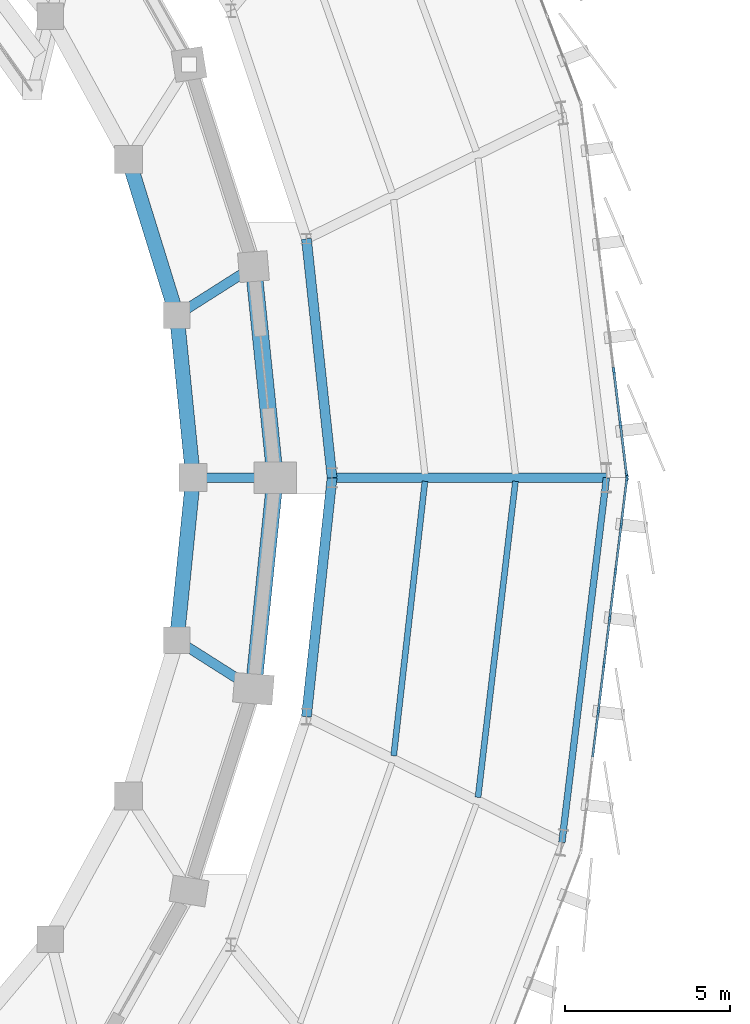
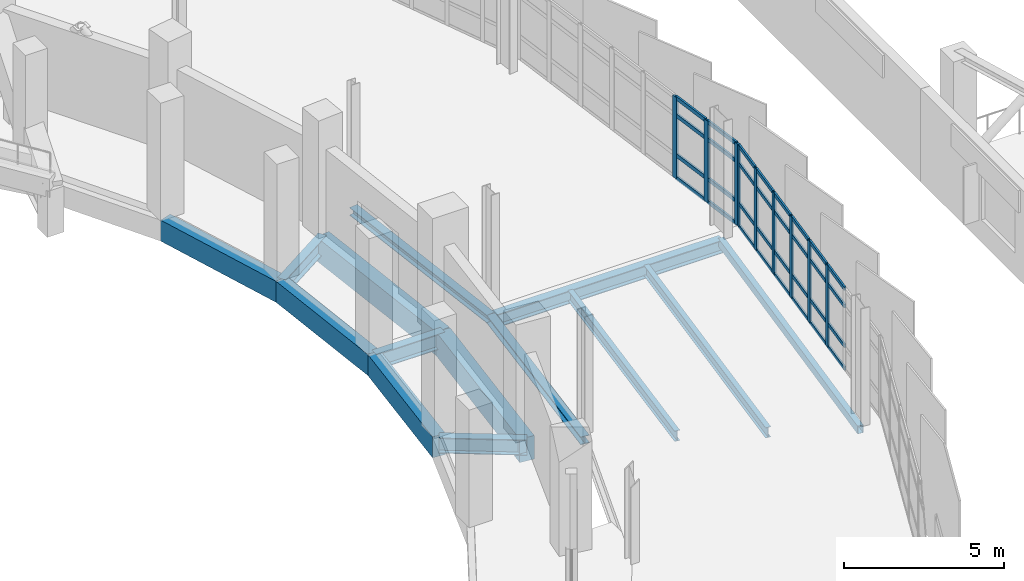
# One storey, part 66 of 120: 41 members, 14 beams, 2 elements without a shape of their own.
"""IFC4 building model written with IfcOpenShell, lengths in metres."""

from ifc_helpers import new_model, si_unit, direction, frame, origin, origin_2d, place, context, subcontext, project, spatial, rectangle, hollow_rectangle, i_section, extrude, material, layer, layer_set, material_profile, profile_set, type_object, element, aggregate, save


model = new_model("IFC4")

# Units and contexts
model_context = context("Model", 3, precision=1e-05, world=origin(), true_north=direction((0.0, 1.0)))
body_context = subcontext(model_context, "Body", "Model", "MODEL_VIEW")
ifc_project = project(units=[si_unit("LENGTHUNIT", "METRE"), si_unit("AREAUNIT", "SQUARE_METRE"), si_unit("VOLUMEUNIT", "CUBIC_METRE"), si_unit("PLANEANGLEUNIT", "RADIAN"), si_unit("MASSUNIT", "GRAM", prefix="KILO")], contexts=[model_context])

# Site, building, storey
site_placement = place(None, origin())
site = spatial("IfcSite", under=ifc_project, at=site_placement, CompositionType="ELEMENT")
building_placement = place(site_placement, origin())
building = spatial("IfcBuilding", under=site, at=building_placement, Name="Sohan Crest Arena", CompositionType="ELEMENT")
storey_placement = place(building_placement, frame((0.0, 0.0, 13.5)))
storey = spatial("IfcBuildingStorey", under=building, at=storey_placement, Name="L03", CompositionType="ELEMENT", Elevation=13.5)

# Curtain wall, members
ifc_material_1 = material(Name="Thermally broken anodised aluminium", Category="aluminium")
ifc_layer_1 = layer(ifc_material_1, 0.18994140625, Name="Thermally broken anodised aluminium")
ifc_layer_set_1 = layer_set([ifc_layer_1], Name="Thermally broken anodised aluminium")
curtain_wall_type_1 = type_object("IfcCurtainWallType", Name="ARC-CW05", PredefinedType="NOTDEFINED", material=ifc_layer_set_1)
curtain_wall_1_placement = place(storey_placement, origin())
curtain_wall_1 = element("IfcCurtainWall", 1, at=curtain_wall_1_placement, inside=storey, type_object=curtain_wall_type_1, Name="Unitised curtain wall CW-100", PredefinedType="NOTDEFINED")
ifc_material_profile_1 = material_profile(ifc_material_1, rectangle(XDim=0.070068359375, YDim=0.199951171875, at=origin_2d()), Name="ALU-MULL 70x200")
ifc_profile_set_1 = profile_set([ifc_material_profile_1], Name="Thermally broken anodised aluminium")
member_type_1 = type_object("IfcMemberType", Name="ARC-CW-ML03", PredefinedType="MULLION", material=ifc_profile_set_1)
member_1_placement = place(storey_placement, frame((187.8291015625, 70.90380859375, 0.0), z_axis=(0.0, 0.0, 1.0), x_axis=(-0.992536588605, 0.121947202838, 0.0)))
member_1 = element("IfcMember", 2, at=member_1_placement, type_object=member_type_1, Name="CW-100 mullion 4", PredefinedType="MULLION", context=body_context, shape_type="SweptSolid", body=[
    extrude(rectangle(XDim=0.070068359375, YDim=0.199951171875, at=origin_2d()), origin(), (0.0, 0.0, 1.0), 3.1201171875),
])
member_2_placement = place(storey_placement, frame((188.00341796875, 72.322998046875, 0.0), z_axis=(0.0, 0.0, 1.0), x_axis=(-0.992536588605, 0.121947202838, 0.0)))
member_2 = element("IfcMember", 3, at=member_2_placement, type_object=member_type_1, Name="CW-100 mullion 5", PredefinedType="MULLION", context=body_context, shape_type="SweptSolid", body=[
    extrude(rectangle(XDim=0.070068359375, YDim=0.199951171875, at=origin_2d()), origin(), (0.0, 0.0, 1.0), 3.1201171875),
])
member_3_placement = place(storey_placement, frame((188.177978515625, 73.7421875, 0.0), z_axis=(0.0, 0.0, 1.0), x_axis=(-0.992536588605, 0.121947202838, 0.0)))
member_3 = element("IfcMember", 4, at=member_3_placement, type_object=member_type_1, Name="CW-100 mullion 6", PredefinedType="MULLION", context=body_context, shape_type="SweptSolid", body=[
    extrude(rectangle(XDim=0.070068359375, YDim=0.199951171875, at=origin_2d()), origin(), (0.0, 0.0, 1.0), 3.1201171875),
])
member_4_placement = place(storey_placement, frame((188.352294921875, 75.16162109375, 0.0), z_axis=(0.0, 0.0, 1.0), x_axis=(-0.992536588605, 0.121947202838, 0.0)))
member_4 = element("IfcMember", 5, at=member_4_placement, type_object=member_type_1, Name="CW-100 mullion 7", PredefinedType="MULLION", context=body_context, shape_type="SweptSolid", body=[
    extrude(rectangle(XDim=0.070068359375, YDim=0.199951171875, at=origin_2d()), origin(), (0.0, 0.0, 1.0), 3.1201171875),
])
member_5_placement = place(storey_placement, frame((188.526611328125, 76.580810546875, 0.0), z_axis=(0.0, 0.0, 1.0), x_axis=(-0.992536588605, 0.121947202838, 0.0)))
member_5 = element("IfcMember", 6, at=member_5_placement, type_object=member_type_1, Name="CW-100 mullion 8", PredefinedType="MULLION", context=body_context, shape_type="SweptSolid", body=[
    extrude(rectangle(XDim=0.070068359375, YDim=0.199951171875, at=origin_2d()), origin(), (0.0, 0.0, 1.0), 3.1201171875),
])
member_6_placement = place(storey_placement, frame((188.69677734375, 77.96533203125, 0.0), z_axis=(0.0, 0.0, 1.0), x_axis=(-0.992536588605, 0.121947202838, 0.0)))
member_6 = element("IfcMember", 7, at=member_6_placement, type_object=member_type_1, Name="CW-100 mullion 9", PredefinedType="MULLION", context=body_context, shape_type="SweptSolid", body=[
    extrude(rectangle(XDim=0.070068359375, YDim=0.199951171875, at=origin_2d()), origin(), (0.0, 0.0, 1.0), 3.1201171875),
])

ifc_layer_2 = layer(ifc_material_1, 0.2099609375, Name="Thermally broken anodised aluminium")
ifc_layer_set_2 = layer_set([ifc_layer_2], Name="Thermally broken anodised aluminium")
curtain_wall_type_2 = type_object("IfcCurtainWallType", Name="ARC-CW06", PredefinedType="NOTDEFINED", material=ifc_layer_set_2)
curtain_wall_2_placement = place(storey_placement, origin())
curtain_wall_2 = element("IfcCurtainWall", 8, at=curtain_wall_2_placement, inside=storey, type_object=curtain_wall_type_2, Name="Unitised curtain wall CW-101", PredefinedType="NOTDEFINED")
ifc_material_profile_2 = material_profile(ifc_material_1, rectangle(XDim=0.074951171875, YDim=0.219970703125, at=origin_2d()), Name="ALU-MULL 75x220")
ifc_profile_set_2 = profile_set([ifc_material_profile_2], Name="Thermally broken anodised aluminium")
member_type_2 = type_object("IfcMemberType", Name="ARC-CW-ML04", PredefinedType="MULLION", material=ifc_profile_set_2)
member_7_placement = place(storey_placement, frame((188.696533203125, 78.037109375, 0.0), z_axis=(0.0, 0.0, 1.0), x_axis=(-0.992536588605, -0.121947202838, 0.0)))
member_7 = element("IfcMember", 9, at=member_7_placement, type_object=member_type_2, Name="CW-101 mullion 1", PredefinedType="MULLION", context=body_context, shape_type="SweptSolid", body=[
    extrude(rectangle(XDim=0.074951171875, YDim=0.219970703125, at=origin_2d()), origin(), (0.0, 0.0, 1.0), 3.1201171875),
])
member_8_placement = place(storey_placement, frame((188.501708984375, 79.6220703125, 0.0), z_axis=(0.0, 0.0, 1.0), x_axis=(-0.992536588605, -0.121947202838, 0.0)))
member_8 = element("IfcMember", 10, at=member_8_placement, type_object=member_type_2, Name="CW-101 mullion 2", PredefinedType="MULLION", context=body_context, shape_type="SweptSolid", body=[
    extrude(rectangle(XDim=0.074951171875, YDim=0.219970703125, at=origin_2d()), origin(), (0.0, 0.0, 1.0), 3.1201171875),
])
member_9_placement = place(storey_placement, frame((188.302490234375, 81.243896484375, 0.0), z_axis=(0.0, 0.0, 1.0), x_axis=(-0.992536588605, -0.121947202838, 0.0)))
member_9 = element("IfcMember", 11, at=member_9_placement, type_object=member_type_2, Name="CW-101 mullion 3", PredefinedType="MULLION", context=body_context, shape_type="SweptSolid", body=[
    extrude(rectangle(XDim=0.074951171875, YDim=0.219970703125, at=origin_2d()), origin(), (0.0, 0.0, 1.0), 3.1201171875),
])

# Member
ifc_material_profile_3 = material_profile(ifc_material_1, rectangle(XDim=0.06494140625, YDim=0.139892578125, at=origin_2d()), Name="ALU-TRAN 65x140")
ifc_profile_set_3 = profile_set([ifc_material_profile_3], Name="Thermally broken anodised aluminium")
member_type_3 = type_object("IfcMemberType", Name="ARC-CW-TR02", PredefinedType="USERDEFINED", material=ifc_profile_set_3)
member_10_placement = place(storey_placement, frame((187.658935546875, 69.519287109375, 0.032470703125), z_axis=(0.122089897141, 0.992519046173, 0.0), x_axis=(-0.992519046173, 0.122089897141, 0.0)))
member_10 = element("IfcMember", 12, at=member_10_placement, type_object=member_type_3, Name="CW-100 transom 3.1", ObjectType="TRANSOM", PredefinedType="USERDEFINED", context=body_context, shape_type="SweptSolid", body=[
    extrude(rectangle(XDim=0.06494140625, YDim=0.139892578125, at=origin_2d()), origin(), (0.0, 0.0, 1.0), 1.35986328125),
])

member_11_placement = place(storey_placement, frame((187.658935546875, 69.519287109375, 0.89990234375), z_axis=(0.122089897141, 0.992519046173, 0.0), x_axis=(-0.992519046173, 0.122089897141, 0.0)))
member_11 = element("IfcMember", 13, at=member_11_placement, type_object=member_type_3, Name="CW-100 transom 3.2", ObjectType="TRANSOM", PredefinedType="USERDEFINED", context=body_context, shape_type="SweptSolid", body=[
    extrude(rectangle(XDim=0.06494140625, YDim=0.139892578125, at=origin_2d()), origin(), (0.0, 0.0, 1.0), 1.35986328125),
])

member_12_placement = place(storey_placement, frame((187.658935546875, 69.519287109375, 2.419921875), z_axis=(0.122089897141, 0.992519046173, 0.0), x_axis=(-0.992519046173, 0.122089897141, 0.0)))
member_12 = element("IfcMember", 14, at=member_12_placement, type_object=member_type_3, Name="CW-100 transom 3.3", ObjectType="TRANSOM", PredefinedType="USERDEFINED", context=body_context, shape_type="SweptSolid", body=[
    extrude(rectangle(XDim=0.06494140625, YDim=0.139892578125, at=origin_2d()), origin(), (0.0, 0.0, 1.0), 1.35986328125),
])

member_13_placement = place(storey_placement, frame((187.658935546875, 69.519287109375, 3.08740234375), z_axis=(0.122089897141, 0.992519046173, 0.0), x_axis=(-0.992519046173, 0.122089897141, 0.0)))
member_13 = element("IfcMember", 15, at=member_13_placement, type_object=member_type_3, Name="CW-100 transom 3.4", ObjectType="TRANSOM", PredefinedType="USERDEFINED", context=body_context, shape_type="SweptSolid", body=[
    extrude(rectangle(XDim=0.06494140625, YDim=0.139892578125, at=origin_2d()), origin(), (0.0, 0.0, 1.0), 1.35986328125),
])

member_14_placement = place(storey_placement, frame((187.83349609375, 70.9384765625, 0.032470703125), z_axis=(0.121891301525, 0.992543455277, 0.0), x_axis=(-0.992543455277, 0.121891301525, 0.0)))
member_14 = element("IfcMember", 16, at=member_14_placement, type_object=member_type_3, Name="CW-100 transom 4.1", ObjectType="TRANSOM", PredefinedType="USERDEFINED", context=body_context, shape_type="SweptSolid", body=[
    extrude(rectangle(XDim=0.06494140625, YDim=0.139892578125, at=origin_2d()), origin(), (0.0, 0.0, 1.0), 1.360107421875),
])

member_15_placement = place(storey_placement, frame((187.83349609375, 70.9384765625, 0.89990234375), z_axis=(0.121891301525, 0.992543455277, 0.0), x_axis=(-0.992543455277, 0.121891301525, 0.0)))
member_15 = element("IfcMember", 17, at=member_15_placement, type_object=member_type_3, Name="CW-100 transom 4.2", ObjectType="TRANSOM", PredefinedType="USERDEFINED", context=body_context, shape_type="SweptSolid", body=[
    extrude(rectangle(XDim=0.06494140625, YDim=0.139892578125, at=origin_2d()), origin(), (0.0, 0.0, 1.0), 1.360107421875),
])

member_16_placement = place(storey_placement, frame((187.83349609375, 70.9384765625, 2.419921875), z_axis=(0.121891301525, 0.992543455277, 0.0), x_axis=(-0.992543455277, 0.121891301525, 0.0)))
member_16 = element("IfcMember", 18, at=member_16_placement, type_object=member_type_3, Name="CW-100 transom 4.3", ObjectType="TRANSOM", PredefinedType="USERDEFINED", context=body_context, shape_type="SweptSolid", body=[
    extrude(rectangle(XDim=0.06494140625, YDim=0.139892578125, at=origin_2d()), origin(), (0.0, 0.0, 1.0), 1.360107421875),
])

member_17_placement = place(storey_placement, frame((187.83349609375, 70.9384765625, 3.08740234375), z_axis=(0.121891301525, 0.992543455277, 0.0), x_axis=(-0.992543455277, 0.121891301525, 0.0)))
member_17 = element("IfcMember", 19, at=member_17_placement, type_object=member_type_3, Name="CW-100 transom 4.4", ObjectType="TRANSOM", PredefinedType="USERDEFINED", context=body_context, shape_type="SweptSolid", body=[
    extrude(rectangle(XDim=0.06494140625, YDim=0.139892578125, at=origin_2d()), origin(), (0.0, 0.0, 1.0), 1.360107421875),
])

member_18_placement = place(storey_placement, frame((188.0078125, 72.357666015625, 0.032470703125), z_axis=(0.121891301525, 0.992543455277, 0.0), x_axis=(-0.992543455277, 0.121891301525, 0.0)))
member_18 = element("IfcMember", 20, at=member_18_placement, type_object=member_type_3, Name="CW-100 transom 5.1", ObjectType="TRANSOM", PredefinedType="USERDEFINED", context=body_context, shape_type="SweptSolid", body=[
    extrude(rectangle(XDim=0.06494140625, YDim=0.139892578125, at=origin_2d()), origin(), (0.0, 0.0, 1.0), 1.360107421875),
])

member_19_placement = place(storey_placement, frame((188.0078125, 72.357666015625, 0.89990234375), z_axis=(0.121891301525, 0.992543455277, 0.0), x_axis=(-0.992543455277, 0.121891301525, 0.0)))
member_19 = element("IfcMember", 21, at=member_19_placement, type_object=member_type_3, Name="CW-100 transom 5.2", ObjectType="TRANSOM", PredefinedType="USERDEFINED", context=body_context, shape_type="SweptSolid", body=[
    extrude(rectangle(XDim=0.06494140625, YDim=0.139892578125, at=origin_2d()), origin(), (0.0, 0.0, 1.0), 1.360107421875),
])

member_20_placement = place(storey_placement, frame((188.0078125, 72.357666015625, 2.419921875), z_axis=(0.121891301525, 0.992543455277, 0.0), x_axis=(-0.992543455277, 0.121891301525, 0.0)))
member_20 = element("IfcMember", 22, at=member_20_placement, type_object=member_type_3, Name="CW-100 transom 5.3", ObjectType="TRANSOM", PredefinedType="USERDEFINED", context=body_context, shape_type="SweptSolid", body=[
    extrude(rectangle(XDim=0.06494140625, YDim=0.139892578125, at=origin_2d()), origin(), (0.0, 0.0, 1.0), 1.360107421875),
])

member_21_placement = place(storey_placement, frame((188.0078125, 72.357666015625, 3.08740234375), z_axis=(0.121891301525, 0.992543455277, 0.0), x_axis=(-0.992543455277, 0.121891301525, 0.0)))
member_21 = element("IfcMember", 23, at=member_21_placement, type_object=member_type_3, Name="CW-100 transom 5.4", ObjectType="TRANSOM", PredefinedType="USERDEFINED", context=body_context, shape_type="SweptSolid", body=[
    extrude(rectangle(XDim=0.06494140625, YDim=0.139892578125, at=origin_2d()), origin(), (0.0, 0.0, 1.0), 1.360107421875),
])

member_22_placement = place(storey_placement, frame((188.18212890625, 73.777099609375, 0.032470703125), z_axis=(0.121913023634, 0.992540787408, 0.0), x_axis=(-0.992540787408, 0.121913023634, 0.0)))
member_22 = element("IfcMember", 24, at=member_22_placement, type_object=member_type_3, Name="CW-100 transom 6.1", ObjectType="TRANSOM", PredefinedType="USERDEFINED", context=body_context, shape_type="SweptSolid", body=[
    extrude(rectangle(XDim=0.06494140625, YDim=0.139892578125, at=origin_2d()), origin(), (0.0, 0.0, 1.0), 1.35986328125),
])

member_23_placement = place(storey_placement, frame((188.18212890625, 73.777099609375, 0.89990234375), z_axis=(0.121913023634, 0.992540787408, 0.0), x_axis=(-0.992540787408, 0.121913023634, 0.0)))
member_23 = element("IfcMember", 25, at=member_23_placement, type_object=member_type_3, Name="CW-100 transom 6.2", ObjectType="TRANSOM", PredefinedType="USERDEFINED", context=body_context, shape_type="SweptSolid", body=[
    extrude(rectangle(XDim=0.06494140625, YDim=0.139892578125, at=origin_2d()), origin(), (0.0, 0.0, 1.0), 1.35986328125),
])

member_24_placement = place(storey_placement, frame((188.18212890625, 73.777099609375, 2.419921875), z_axis=(0.121913023634, 0.992540787408, 0.0), x_axis=(-0.992540787408, 0.121913023634, 0.0)))
member_24 = element("IfcMember", 26, at=member_24_placement, type_object=member_type_3, Name="CW-100 transom 6.3", ObjectType="TRANSOM", PredefinedType="USERDEFINED", context=body_context, shape_type="SweptSolid", body=[
    extrude(rectangle(XDim=0.06494140625, YDim=0.139892578125, at=origin_2d()), origin(), (0.0, 0.0, 1.0), 1.35986328125),
])

member_25_placement = place(storey_placement, frame((188.18212890625, 73.777099609375, 3.08740234375), z_axis=(0.121913023634, 0.992540787408, 0.0), x_axis=(-0.992540787408, 0.121913023634, 0.0)))
member_25 = element("IfcMember", 27, at=member_25_placement, type_object=member_type_3, Name="CW-100 transom 6.4", ObjectType="TRANSOM", PredefinedType="USERDEFINED", context=body_context, shape_type="SweptSolid", body=[
    extrude(rectangle(XDim=0.06494140625, YDim=0.139892578125, at=origin_2d()), origin(), (0.0, 0.0, 1.0), 1.35986328125),
])

member_26_placement = place(storey_placement, frame((188.3564453125, 75.1962890625, 0.032470703125), z_axis=(0.122089897141, 0.992519046173, 0.0), x_axis=(-0.992519046173, 0.122089897141, 0.0)))
member_26 = element("IfcMember", 28, at=member_26_placement, type_object=member_type_3, Name="CW-100 transom 7.1", ObjectType="TRANSOM", PredefinedType="USERDEFINED", context=body_context, shape_type="SweptSolid", body=[
    extrude(rectangle(XDim=0.06494140625, YDim=0.139892578125, at=origin_2d()), origin(), (0.0, 0.0, 1.0), 1.35986328125),
])

member_27_placement = place(storey_placement, frame((188.3564453125, 75.1962890625, 0.89990234375), z_axis=(0.122089897141, 0.992519046173, 0.0), x_axis=(-0.992519046173, 0.122089897141, 0.0)))
member_27 = element("IfcMember", 29, at=member_27_placement, type_object=member_type_3, Name="CW-100 transom 7.2", ObjectType="TRANSOM", PredefinedType="USERDEFINED", context=body_context, shape_type="SweptSolid", body=[
    extrude(rectangle(XDim=0.06494140625, YDim=0.139892578125, at=origin_2d()), origin(), (0.0, 0.0, 1.0), 1.35986328125),
])

member_28_placement = place(storey_placement, frame((188.3564453125, 75.1962890625, 2.419921875), z_axis=(0.122089897141, 0.992519046173, 0.0), x_axis=(-0.992519046173, 0.122089897141, 0.0)))
member_28 = element("IfcMember", 30, at=member_28_placement, type_object=member_type_3, Name="CW-100 transom 7.3", ObjectType="TRANSOM", PredefinedType="USERDEFINED", context=body_context, shape_type="SweptSolid", body=[
    extrude(rectangle(XDim=0.06494140625, YDim=0.139892578125, at=origin_2d()), origin(), (0.0, 0.0, 1.0), 1.35986328125),
])

member_29_placement = place(storey_placement, frame((188.3564453125, 75.1962890625, 3.08740234375), z_axis=(0.122089897141, 0.992519046173, 0.0), x_axis=(-0.992519046173, 0.122089897141, 0.0)))
member_29 = element("IfcMember", 31, at=member_29_placement, type_object=member_type_3, Name="CW-100 transom 7.4", ObjectType="TRANSOM", PredefinedType="USERDEFINED", context=body_context, shape_type="SweptSolid", body=[
    extrude(rectangle(XDim=0.06494140625, YDim=0.139892578125, at=origin_2d()), origin(), (0.0, 0.0, 1.0), 1.35986328125),
])

member_30_placement = place(storey_placement, frame((188.531005859375, 76.615478515625, 0.032470703125), z_axis=(0.121811675725, 0.992553230642, 0.0), x_axis=(-0.992553230642, 0.121811675725, 0.0)))
member_30 = element("IfcMember", 32, at=member_30_placement, type_object=member_type_3, Name="CW-100 transom 8.1", ObjectType="TRANSOM", PredefinedType="USERDEFINED", context=body_context, shape_type="SweptSolid", body=[
    extrude(rectangle(XDim=0.06494140625, YDim=0.139892578125, at=origin_2d()), origin(), (0.0, 0.0, 1.0), 1.32470703125),
])

member_31_placement = place(storey_placement, frame((188.531005859375, 76.615478515625, 0.89990234375), z_axis=(0.121811675725, 0.992553230642, 0.0), x_axis=(-0.992553230642, 0.121811675725, 0.0)))
member_31 = element("IfcMember", 33, at=member_31_placement, type_object=member_type_3, Name="CW-100 transom 8.2", ObjectType="TRANSOM", PredefinedType="USERDEFINED", context=body_context, shape_type="SweptSolid", body=[
    extrude(rectangle(XDim=0.06494140625, YDim=0.139892578125, at=origin_2d()), origin(), (0.0, 0.0, 1.0), 1.32470703125),
])

member_32_placement = place(storey_placement, frame((188.531005859375, 76.615478515625, 2.419921875), z_axis=(0.121811675725, 0.992553230642, 0.0), x_axis=(-0.992553230642, 0.121811675725, 0.0)))
member_32 = element("IfcMember", 34, at=member_32_placement, type_object=member_type_3, Name="CW-100 transom 8.3", ObjectType="TRANSOM", PredefinedType="USERDEFINED", context=body_context, shape_type="SweptSolid", body=[
    extrude(rectangle(XDim=0.06494140625, YDim=0.139892578125, at=origin_2d()), origin(), (0.0, 0.0, 1.0), 1.32470703125),
])

member_33_placement = place(storey_placement, frame((188.531005859375, 76.615478515625, 3.08740234375), z_axis=(0.121811675725, 0.992553230642, 0.0), x_axis=(-0.992553230642, 0.121811675725, 0.0)))
member_33 = element("IfcMember", 35, at=member_33_placement, type_object=member_type_3, Name="CW-100 transom 8.4", ObjectType="TRANSOM", PredefinedType="USERDEFINED", context=body_context, shape_type="SweptSolid", body=[
    extrude(rectangle(XDim=0.06494140625, YDim=0.139892578125, at=origin_2d()), origin(), (0.0, 0.0, 1.0), 1.32470703125),
])

aggregate(curtain_wall_1, [member_1, member_2, member_3, member_4, member_5, member_6, member_10, member_11, member_12, member_13, member_14, member_15, member_16, member_17, member_18, member_19, member_20, member_21, member_22, member_23, member_24, member_25, member_26, member_27, member_28, member_29, member_30, member_31, member_32, member_33])

ifc_material_profile_4 = material_profile(ifc_material_1, rectangle(XDim=0.070068359375, YDim=0.14990234375, at=origin_2d()), Name="ALU-TRAN 70x150")
ifc_profile_set_4 = profile_set([ifc_material_profile_4], Name="Thermally broken anodised aluminium")
member_type_4 = type_object("IfcMemberType", Name="ARC-CW-TR03", PredefinedType="USERDEFINED", material=ifc_profile_set_4)
member_34_placement = place(storey_placement, frame((188.69189453125, 78.074462890625, 0.034912109375), z_axis=(-0.121941216666, 0.992537324073, 0.0), x_axis=(-0.992537324073, -0.121941216666, 0.0)))
member_34 = element("IfcMember", 36, at=member_34_placement, type_object=member_type_4, Name="CW-101 transom 1.1", ObjectType="TRANSOM", PredefinedType="USERDEFINED", context=body_context, shape_type="SweptSolid", body=[
    extrude(rectangle(XDim=0.070068359375, YDim=0.14990234375, at=origin_2d()), origin(), (0.0, 0.0, 1.0), 1.521728515625),
])

member_35_placement = place(storey_placement, frame((188.69189453125, 78.074462890625, 0.89990234375), z_axis=(-0.121941216666, 0.992537324073, 0.0), x_axis=(-0.992537324073, -0.121941216666, 0.0)))
member_35 = element("IfcMember", 37, at=member_35_placement, type_object=member_type_4, Name="CW-101 transom 1.2", ObjectType="TRANSOM", PredefinedType="USERDEFINED", context=body_context, shape_type="SweptSolid", body=[
    extrude(rectangle(XDim=0.070068359375, YDim=0.14990234375, at=origin_2d()), origin(), (0.0, 0.0, 1.0), 1.521728515625),
])

member_36_placement = place(storey_placement, frame((188.69189453125, 78.074462890625, 2.419921875), z_axis=(-0.121941216666, 0.992537324073, 0.0), x_axis=(-0.992537324073, -0.121941216666, 0.0)))
member_36 = element("IfcMember", 38, at=member_36_placement, type_object=member_type_4, Name="CW-101 transom 1.3", ObjectType="TRANSOM", PredefinedType="USERDEFINED", context=body_context, shape_type="SweptSolid", body=[
    extrude(rectangle(XDim=0.070068359375, YDim=0.14990234375, at=origin_2d()), origin(), (0.0, 0.0, 1.0), 1.521728515625),
])

member_37_placement = place(storey_placement, frame((188.69189453125, 78.074462890625, 3.0849609375), z_axis=(-0.121941216666, 0.992537324073, 0.0), x_axis=(-0.992537324073, -0.121941216666, 0.0)))
member_37 = element("IfcMember", 39, at=member_37_placement, type_object=member_type_4, Name="CW-101 transom 1.4", ObjectType="TRANSOM", PredefinedType="USERDEFINED", context=body_context, shape_type="SweptSolid", body=[
    extrude(rectangle(XDim=0.070068359375, YDim=0.14990234375, at=origin_2d()), origin(), (0.0, 0.0, 1.0), 1.521728515625),
])

member_38_placement = place(storey_placement, frame((188.4970703125, 79.6591796875, 0.034912109375), z_axis=(-0.121972485011, 0.992533482005, 0.0), x_axis=(-0.992533482005, -0.121972485011, 0.0)))
member_38 = element("IfcMember", 40, at=member_38_placement, type_object=member_type_4, Name="CW-101 transom 2.1", ObjectType="TRANSOM", PredefinedType="USERDEFINED", context=body_context, shape_type="SweptSolid", body=[
    extrude(rectangle(XDim=0.070068359375, YDim=0.14990234375, at=origin_2d()), origin(), (0.0, 0.0, 1.0), 1.559326171875),
])

member_39_placement = place(storey_placement, frame((188.4970703125, 79.6591796875, 0.89990234375), z_axis=(-0.121972485011, 0.992533482005, 0.0), x_axis=(-0.992533482005, -0.121972485011, 0.0)))
member_39 = element("IfcMember", 41, at=member_39_placement, type_object=member_type_4, Name="CW-101 transom 2.2", ObjectType="TRANSOM", PredefinedType="USERDEFINED", context=body_context, shape_type="SweptSolid", body=[
    extrude(rectangle(XDim=0.070068359375, YDim=0.14990234375, at=origin_2d()), origin(), (0.0, 0.0, 1.0), 1.559326171875),
])

member_40_placement = place(storey_placement, frame((188.4970703125, 79.6591796875, 2.419921875), z_axis=(-0.121972485011, 0.992533482005, 0.0), x_axis=(-0.992533482005, -0.121972485011, 0.0)))
member_40 = element("IfcMember", 42, at=member_40_placement, type_object=member_type_4, Name="CW-101 transom 2.3", ObjectType="TRANSOM", PredefinedType="USERDEFINED", context=body_context, shape_type="SweptSolid", body=[
    extrude(rectangle(XDim=0.070068359375, YDim=0.14990234375, at=origin_2d()), origin(), (0.0, 0.0, 1.0), 1.559326171875),
])

member_41_placement = place(storey_placement, frame((188.4970703125, 79.6591796875, 3.0849609375), z_axis=(-0.121972485011, 0.992533482005, 0.0), x_axis=(-0.992533482005, -0.121972485011, 0.0)))
member_41 = element("IfcMember", 43, at=member_41_placement, type_object=member_type_4, Name="CW-101 transom 2.4", ObjectType="TRANSOM", PredefinedType="USERDEFINED", context=body_context, shape_type="SweptSolid", body=[
    extrude(rectangle(XDim=0.070068359375, YDim=0.14990234375, at=origin_2d()), origin(), (0.0, 0.0, 1.0), 1.559326171875),
])

aggregate(curtain_wall_2, [member_7, member_8, member_9, member_34, member_35, member_36, member_37, member_38, member_39, member_40, member_41])

# Beams
ifc_material_2 = material(Name="Steel S355", Category="steel")
ifc_material_profile_5 = material_profile(ifc_material_2, i_section(OverallWidth=0.179931640625, OverallDepth=0.39990234375, WebThickness=0.008544921875, FlangeThickness=0.013427734375, at=origin_2d()), Name="IPE 400")
ifc_profile_set_5 = profile_set([ifc_material_profile_5], Name="Steel S355")
beam_type_1 = type_object("IfcBeamType", Name="STR-BM-B03", PredefinedType="JOIST", material=ifc_profile_set_5)
beam_1_placement = place(storey_placement, frame((181.6201171875, 69.55908203125, -0.449951171875), z_axis=(0.11316313726, 0.993576420999, 0.0), x_axis=(-0.993576420999, 0.11316313726, 0.0)))
element("IfcBeam", 44, at=beam_1_placement, inside=storey, type_object=beam_type_1, Name="Structural beam J-L03-1498", PredefinedType="JOIST", context=body_context, shape_type="SweptSolid", body=[
    extrude(i_section(OverallWidth=0.179931640625, OverallDepth=0.39990234375, WebThickness=0.008544921875, FlangeThickness=0.013427734375, at=origin_2d()), origin(), (0.0, 0.0, 1.0), 8.385986328125),
])
beam_2_placement = place(storey_placement, frame((184.179931640625, 68.299072265625, -0.449951171875), z_axis=(0.117608198901, 0.993060074493, 0.0), x_axis=(-0.993060074493, 0.117608198901, 0.0)))
element("IfcBeam", 45, at=beam_2_placement, inside=storey, type_object=beam_type_1, Name="Structural beam J-L03-1499", PredefinedType="JOIST", context=body_context, shape_type="SweptSolid", body=[
    extrude(i_section(OverallWidth=0.179931640625, OverallDepth=0.39990234375, WebThickness=0.008544921875, FlangeThickness=0.013427734375, at=origin_2d()), origin(), (0.0, 0.0, 1.0), 9.6591796875),
])
ifc_material_profile_6 = material_profile(ifc_material_2, i_section(OverallWidth=0.300048828125, OverallDepth=0.590087890625, WebThickness=0.012939453125, FlangeThickness=0.02490234375, at=origin_2d()), Name="HEA 600")
ifc_profile_set_6 = profile_set([ifc_material_profile_6], Name="Steel S355")
beam_type_2 = type_object("IfcBeamType", Name="STR-BM-B11", PredefinedType="BEAM", material=ifc_profile_set_6)
beam_3_placement = place(storey_placement, frame((175.037109375, 73.070068359375, -0.544921875), z_axis=(0.84416826172, -0.536078302027, 0.0), x_axis=(0.536078302027, 0.84416826172, 0.0)))
element("IfcBeam", 46, at=beam_3_placement, inside=storey, type_object=beam_type_2, Name="Structural beam G-L03-0562", PredefinedType="BEAM", context=body_context, shape_type="SweptSolid", body=[
    extrude(i_section(OverallWidth=0.300048828125, OverallDepth=0.590087890625, WebThickness=0.012939453125, FlangeThickness=0.02490234375, at=origin_2d()), origin(), (0.0, 0.0, 1.0), 2.75537109375),
])
beam_4_placement = place(storey_placement, frame((175.531982421875, 78.0, -0.544921875), z_axis=(1.0, 0.0, 0.0), x_axis=(0.0, 1.0, 0.0)))
element("IfcBeam", 47, at=beam_4_placement, inside=storey, type_object=beam_type_2, Name="Structural beam G-L03-0585", PredefinedType="BEAM", context=body_context, shape_type="SweptSolid", body=[
    extrude(i_section(OverallWidth=0.300048828125, OverallDepth=0.590087890625, WebThickness=0.012939453125, FlangeThickness=0.02490234375, at=origin_2d()), origin(), (0.0, 0.0, 1.0), 2.490966796875),
])
beam_5_placement = place(storey_placement, frame((175.037109375, 82.929931640625, -0.544921875), z_axis=(0.84416826172, 0.536078302027, 0.0), x_axis=(-0.536078302027, 0.84416826172, 0.0)))
element("IfcBeam", 48, at=beam_5_placement, inside=storey, type_object=beam_type_2, Name="Structural beam G-L03-0608", PredefinedType="BEAM", context=body_context, shape_type="SweptSolid", body=[
    extrude(i_section(OverallWidth=0.300048828125, OverallDepth=0.590087890625, WebThickness=0.012939453125, FlangeThickness=0.02490234375, at=origin_2d()), origin(), (0.0, 0.0, 1.0), 2.75537109375),
])
ifc_material_profile_7 = material_profile(ifc_material_2, i_section(OverallWidth=0.300048828125, OverallDepth=0.300048828125, WebThickness=0.010986328125, FlangeThickness=0.01904296875, at=origin_2d()), Name="HEB 300")
ifc_profile_set_7 = profile_set([ifc_material_profile_7], Name="Steel S355")
beam_type_3 = type_object("IfcBeamType", Name="STR-BM-B12", PredefinedType="BEAM", material=ifc_profile_set_7)
for number, where, z_axis, x_axis, name in (
    (49, (178.971923828125, 70.748046875, -0.39990234375), (0.106679679342, 0.994293440598, 0.0), (-0.994293440598, 0.106679679342, 0.0), "Structural beam G-L03-1496"),
    (50, (179.75, 78.0, -0.39990234375), (-0.106679679342, 0.994293440598, 0.0), (-0.994293440598, -0.106679679342, 0.0), "Structural beam G-L03-1501"),
):
    element("IfcBeam", number, at=place(storey_placement, frame(where, z_axis=z_axis, x_axis=x_axis)), inside=storey, type_object=beam_type_3, Name=name, PredefinedType="BEAM", context=body_context, shape_type="SweptSolid", body=[
        extrude(i_section(OverallWidth=0.300048828125, OverallDepth=0.300048828125, WebThickness=0.010986328125, FlangeThickness=0.01904296875, at=origin_2d()), origin(), (0.0, 0.0, 1.0), 7.29345703125),
    ])
ifc_material_profile_8 = material_profile(ifc_material_2, i_section(OverallWidth=0.300048828125, OverallDepth=0.5, WebThickness=0.014404296875, FlangeThickness=0.028076171875, at=origin_2d()), Name="HEB 500")
ifc_profile_set_8 = profile_set([ifc_material_profile_8], Name="Steel S355")
beam_type_4 = type_object("IfcBeamType", Name="STR-BM-B14", PredefinedType="BEAM", material=ifc_profile_set_8)
beam_6_placement = place(storey_placement, frame((179.75, 78.0, -0.5), z_axis=(1.0, 0.0, 0.0), x_axis=(0.0, 1.0, 0.0)))
element("IfcBeam", 51, at=beam_6_placement, inside=storey, type_object=beam_type_4, Name="Structural beam G-L03-1500", PredefinedType="BEAM", context=body_context, shape_type="SweptSolid", body=[
    extrude(i_section(OverallWidth=0.300048828125, OverallDepth=0.5, WebThickness=0.014404296875, FlangeThickness=0.028076171875, at=origin_2d()), origin(), (0.0, 0.0, 1.0), 8.326904296875),
])
ifc_material_profile_9 = material_profile(ifc_material_2, hollow_rectangle(XDim=0.199951171875, YDim=0.300048828125, WallThickness=0.010009765625, at=origin_2d()), Name="RHS 300x200x10")
ifc_profile_set_9 = profile_set([ifc_material_profile_9], Name="Steel S355")
beam_type_5 = type_object("IfcBeamType", Name="STR-BM-SP03", PredefinedType="SPANDREL", material=ifc_profile_set_9)
beam_7_placement = place(storey_placement, frame((186.72509765625, 66.929931640625, -0.39990234375), z_axis=(0.121213260401, 0.992626488415, 0.0), x_axis=(-0.992626488415, 0.121213260401, 0.0)))
element("IfcBeam", 52, at=beam_7_placement, inside=storey, type_object=beam_type_5, Name="Structural beam SP-L03-1497", PredefinedType="SPANDREL", context=body_context, shape_type="SweptSolid", body=[
    extrude(hollow_rectangle(XDim=0.199951171875, YDim=0.300048828125, WallThickness=0.010009765625, at=origin_2d()), origin(), (0.0, 0.0, 1.0), 11.15234375),
])
ifc_material_3 = material(Name="Concrete C40/50", Category="concrete")
ifc_material_profile_10 = material_profile(ifc_material_3, rectangle(XDim=0.449951171875, YDim=0.800048828125, at=origin_2d()), Name="RC-BM 450x800")
ifc_profile_set_10 = profile_set([ifc_material_profile_10], Name="Concrete C40/50")
beam_type_6 = type_object("IfcBeamType", Name="STR-BM-TB02", PredefinedType="BEAM", material=ifc_profile_set_10)
for number, where, z_axis, x_axis, name in (
    (53, (175.037109375, 73.070068359375, -0.64990234375), (0.099879368849, 0.994999553607, 0.0), (-0.994999553607, 0.099879368849, 0.0), "Structural beam TB-L03-0560"),
    (54, (175.531982421875, 78.0, -0.64990234375), (-0.099879368849, 0.994999553607, 0.0), (-0.994999553607, -0.099879368849, 0.0), "Structural beam TB-L03-0583"),
):
    element("IfcBeam", number, at=place(storey_placement, frame(where, z_axis=z_axis, x_axis=x_axis)), inside=storey, type_object=beam_type_6, Name=name, PredefinedType="BEAM", context=body_context, shape_type="SweptSolid", body=[
        extrude(rectangle(XDim=0.449951171875, YDim=0.800048828125, at=origin_2d()), origin(), (0.0, 0.0, 1.0), 4.95458984375),
    ])
beam_8_placement = place(storey_placement, frame((175.037109375, 82.929931640625, -0.64990234375), z_axis=(-0.295819661295, 0.955243805524, 0.0), x_axis=(-0.955243805524, -0.295819661295, 0.0)))
element("IfcBeam", 55, at=beam_8_placement, inside=storey, type_object=beam_type_6, Name="Structural beam TB-L03-0606", PredefinedType="BEAM", context=body_context, shape_type="SweptSolid", body=[
    extrude(rectangle(XDim=0.449951171875, YDim=0.800048828125, at=origin_2d()), origin(), (0.0, 0.0, 1.0), 4.9560546875),
])
ifc_material_profile_11 = material_profile(ifc_material_3, rectangle(XDim=0.5, YDim=0.89990234375, at=origin_2d()), Name="RC-BM 500x900")
ifc_profile_set_11 = profile_set([ifc_material_profile_11], Name="Concrete C40/50")
beam_type_7 = type_object("IfcBeamType", Name="STR-BM-TB03", PredefinedType="BEAM", material=ifc_profile_set_11)
for number, where, z_axis, x_axis, name in (
    (56, (177.363037109375, 71.593017578125, -0.699951171875), (0.102456857996, 0.994737448903, 0.0), (-0.994737448903, 0.102456857996, 0.0), "Structural beam TB-L03-0561"),
    (57, (178.02294921875, 78.0, -0.699951171875), (-0.102456857996, 0.994737448903, 0.0), (-0.994737448903, -0.102456857996, 0.0), "Structural beam TB-L03-0584"),
):
    element("IfcBeam", number, at=place(storey_placement, frame(where, z_axis=z_axis, x_axis=x_axis)), inside=storey, type_object=beam_type_7, Name=name, PredefinedType="BEAM", context=body_context, shape_type="SweptSolid", body=[
        extrude(rectangle(XDim=0.5, YDim=0.89990234375, at=origin_2d()), origin(), (0.0, 0.0, 1.0), 6.44091796875),
    ])

save(model, "model.ifc")
